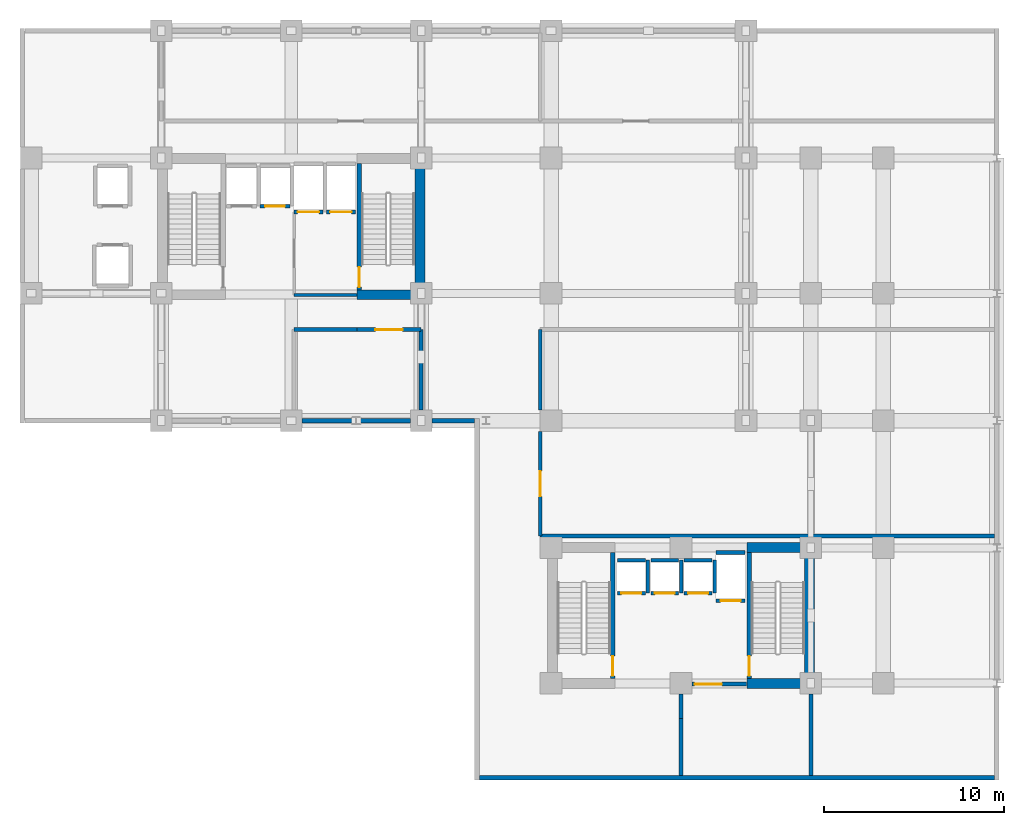
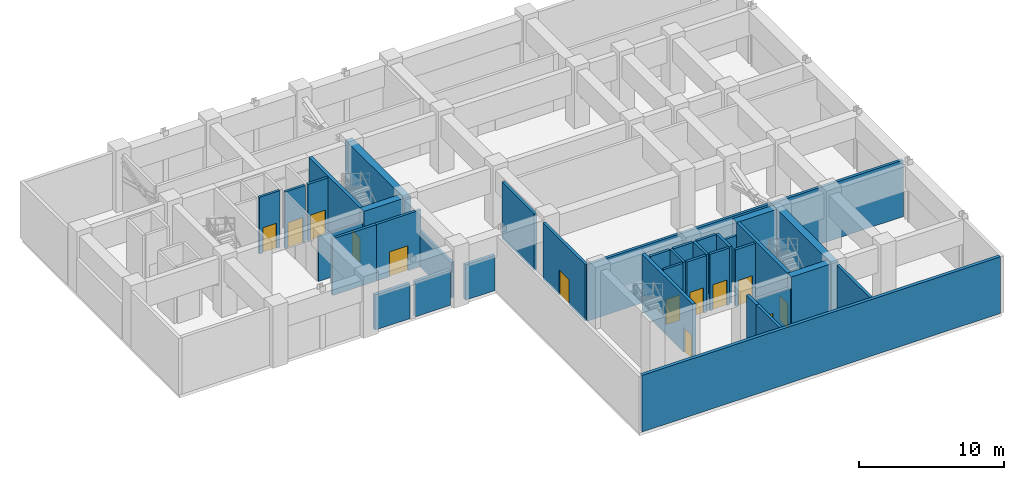
# One storey, part 4 of 8: 37 walls, 13 doors, 13 openings.
"""IFC4 building model written with IfcOpenShell, lengths in metres."""

from ifc_helpers import new_model, si_unit, direction, frame, frame_2d, origin, place, context, subcontext, project, spatial, rectangle, extrude, material, layer, layer_set, type_object, element, fill, save


model = new_model("IFC4")

# Units and contexts
model_context = context("Model", 3, precision=1e-05, world=origin(), true_north=direction((0.0, 1.0)))
body_context = subcontext(model_context, "Body", "Model", "MODEL_VIEW")
ifc_project = project(units=[si_unit("LENGTHUNIT", "METRE"), si_unit("AREAUNIT", "SQUARE_METRE"), si_unit("VOLUMEUNIT", "CUBIC_METRE"), si_unit("PLANEANGLEUNIT", "RADIAN"), si_unit("MASSUNIT", "GRAM", prefix="KILO")], contexts=[model_context])

# Site, building, storey
site_placement = place(None, origin())
site = spatial("IfcSite", under=ifc_project, at=site_placement, CompositionType="ELEMENT")
building_placement = place(site_placement, origin())
building = spatial("IfcBuilding", under=site, at=building_placement, Name="Kaliganga Portal Commons", CompositionType="ELEMENT")
storey_placement = place(building_placement, frame((0.0, 0.0, 130.39990234375)))
storey = spatial("IfcBuildingStorey", under=building, at=storey_placement, Name="L33", CompositionType="ELEMENT", Elevation=130.39990234375)

# Walls
ifc_material_1 = material(Name="Concrete C60/75", Category="concrete")
ifc_layer_1 = layer(ifc_material_1, 0.550048828125)
ifc_layer_set_1 = layer_set([ifc_layer_1], Name="Concrete C60/75")
wall_type_1 = type_object("IfcWallType", Name="WL-CORE-550", PredefinedType="SHEAR", material=ifc_layer_set_1)
wall_1_placement = place(storey_placement, frame((28.72509765625, 28.300048828125, 0.0), z_axis=(0.0, 0.0, 1.0), x_axis=(0.0, 1.0, 0.0)))
element("IfcWall", 1, at=wall_1_placement, inside=storey, type_object=wall_type_1, Name="Core A East Shear Wall L33", PredefinedType="SHEAR", context=body_context, shape_type="SweptSolid", body=[
    extrude(rectangle(XDim=8.099853515625, YDim=0.550048828125, at=frame_2d((4.0498046875, 0.0))), origin(), (0.0, 0.0, 1.0), 4.780029296875),
])
wall_2_placement = place(storey_placement, frame((25.25, 28.574951171875, 0.0), z_axis=(0.0, 0.0, 1.0), x_axis=(1.0, 0.0, 0.0)))
element("IfcWall", 2, at=wall_2_placement, inside=storey, type_object=wall_type_1, Name="Core A S-East Shear Wall L33", PredefinedType="SHEAR", context=body_context, shape_type="SweptSolid", body=[
    extrude(rectangle(XDim=3.199951171875, YDim=0.550048828125, at=frame_2d((1.60009765625, 0.0))), origin(), (0.0, 0.0, 1.0), 4.780029296875),
])
wall_3_placement = place(storey_placement, frame((50.324951171875, 6.75, 0.0), z_axis=(0.0, 0.0, 1.0), x_axis=(0.0, 1.0, 0.0)))
element("IfcWall", 3, at=wall_3_placement, inside=storey, type_object=wall_type_1, Name="Core B East Shear Wall L33", PredefinedType="SHEAR", context=body_context, shape_type="SweptSolid", body=[
    extrude(rectangle(XDim=8.10009765625, YDim=0.550048828125, at=frame_2d((4.050048828125, 0.0))), origin(), (0.0, 0.0, 1.0), 4.780029296875),
])
for number, where, z_axis, x_axis, name in (
    (4, (46.85009765625, 7.02490234375, 0.0), (0.0, 0.0, 1.0), (1.0, 0.0, 0.0), "Core B S-East Shear Wall L33"),
    (5, (46.85009765625, 14.574951171875, 0.0), (0.0, 0.0, 1.0), (1.0, 0.0, 0.0), "Core B N-East Shear Wall L33"),
):
    element("IfcWall", number, at=place(storey_placement, frame(where, z_axis=z_axis, x_axis=x_axis)), inside=storey, type_object=wall_type_1, Name=name, PredefinedType="SHEAR", context=body_context, shape_type="SweptSolid", body=[
        extrude(rectangle(XDim=3.199951171875, YDim=0.550048828125, at=frame_2d((1.60009765625, 0.0))), origin(), (0.0, 0.0, 1.0), 4.780029296875),
    ])
ifc_material_2 = material(Name="Insulated Aluminium-Clad Spandrel Assembly", Category="aluminium")
ifc_layer_2 = layer(ifc_material_2, 0.260009765625)
ifc_layer_set_2 = layer_set([ifc_layer_2], Name="Insulated Aluminium-Clad Spandrel Assembly")
wall_type_2 = type_object("IfcWallType", Name="WL-EXT-SPAND-260", PredefinedType="STANDARD", material=ifc_layer_set_2)
wall_4_placement = place(storey_placement, frame((60.56494140625, 1.800048828125, 0.0), z_axis=(0.0, 0.0, 1.0), x_axis=(-1.0, 0.0, 0.0)))
element("IfcWall", 6, at=wall_4_placement, inside=storey, type_object=wall_type_2, Name="Exterior Envelope Wall L33 P1-E00-S1", PredefinedType="STANDARD", context=body_context, shape_type="SweptSolid", body=[
    extrude(rectangle(XDim=28.530029296875, YDim=0.260009765625, at=frame_2d((14.26513671875, 0.0))), origin(), (0.0, 0.0, 1.0), 4.760009765625),
])
for number, where, z_axis, x_axis, name in (
    (7, (24.994384765625, 21.60009765625, 0.0), (0.0, 0.0, 1.0), (-1.0, 0.0, 0.0), "Exterior Envelope Wall L33 P1-E04-S4"),
    (8, (28.198974609375, 21.60009765625, 0.0), (0.0, 0.0, 1.0), (-1.0, 0.0, 0.0), "Exterior Envelope Wall L33 P1-E04-S5"),
):
    element("IfcWall", number, at=place(storey_placement, frame(where, z_axis=z_axis, x_axis=x_axis)), inside=storey, type_object=wall_type_2, Name=name, PredefinedType="STANDARD", context=body_context, shape_type="SweptSolid", body=[
        extrude(rectangle(XDim=2.79345703125, YDim=0.260009765625, at=frame_2d((1.396728515625, 0.0))), origin(), (0.0, 0.0, 1.0), 2.960205078125),
    ])
wall_5_placement = place(storey_placement, frame((31.764892578125, 21.60009765625, 0.0), z_axis=(0.0, 0.0, 1.0), x_axis=(-1.0, 0.0, 0.0)))
element("IfcWall", 9, at=wall_5_placement, inside=storey, type_object=wall_type_2, Name="Exterior Envelope Wall L33 P1-E04-S6", PredefinedType="STANDARD", context=body_context, shape_type="SweptSolid", body=[
    extrude(rectangle(XDim=2.364013671875, YDim=0.260009765625, at=frame_2d((1.18212890625, 0.0))), origin(), (0.0, 0.0, 1.0), 2.960205078125),
])
ifc_material_3 = material(Name="Fire-Rated Gypsum Board on Steel Stud", Category="steel")
ifc_layer_3 = layer(ifc_material_3, 0.14990234375)
ifc_layer_set_3 = layer_set([ifc_layer_3], Name="Fire-Rated Gypsum Board on Steel Stud")
wall_type_3 = type_object("IfcWallType", Name="WL-PART-CORR-150", PredefinedType="PARTITIONING", material=ifc_layer_set_3)
wall_6_placement = place(storey_placement, frame((21.760009765625, 28.56005859375, 0.0), z_axis=(0.0, 0.0, 1.0), x_axis=(1.0, 0.0, 0.0)))
element("IfcWall", 10, at=wall_6_placement, inside=storey, type_object=wall_type_3, Name="Interior Partition L33-018", PredefinedType="PARTITIONING", context=body_context, shape_type="SweptSolid", body=[
    extrude(rectangle(XDim=3.47998046875, YDim=0.14990234375, at=frame_2d((1.739990234375, 0.0))), origin(), (0.0, 0.0, 1.0), 3.760009765625),
])

# Wall, opening, door
ifc_material_4 = material(Name="Lightweight blockwork masonry", Category="masonry")
ifc_layer_4 = layer(ifc_material_4, 0.215087890625)
ifc_layer_set_4 = layer_set([ifc_layer_4], Name="Lightweight blockwork masonry")
wall_type_4 = type_object("IfcWallType", Name="WL-PART-PLANT-215", PredefinedType="PARTITIONING", material=ifc_layer_set_4)
wall_7_placement = place(storey_placement, frame((43.800048828125, 7.0, 0.0), z_axis=(0.0, 0.0, 1.0), x_axis=(1.0, 0.0, 0.0)))
wall_7 = element("IfcWall", 11, at=wall_7_placement, inside=storey, type_object=wall_type_4, Name="Interior Partition L33-001", PredefinedType="PARTITIONING", context=body_context, shape_type="SweptSolid", body=[
    extrude(rectangle(XDim=3.0400390625, YDim=0.215087890625, at=frame_2d((1.52001953125, 0.0))), origin(), (0.0, 0.0, 1.0), 3.760009765625),
])
opening_1_placement = place(wall_7_placement, frame((0.162109375, 0.0, 0.0)))
opening_1 = element("IfcOpeningElement", 12, at=opening_1_placement, cuts=wall_7, Name="Opening FD-01", PredefinedType="OPENING", context=body_context, shape_type="SweptSolid", body=[
    extrude(rectangle(XDim=1.5, YDim=2.10009765625, at=frame_2d((0.75, 1.050048828125))), frame((0.0, 0.11767578125, 0.0), z_axis=(0.0, -1.0, 0.0), x_axis=(1.0, 0.0, 0.0)), (0.0, 0.0, 1.0), 0.235107421875),
])
ifc_material_5 = material(Name="Fire-Rated Hardwood and Georgian-Wired Vision Panel", Category="wood")
door_type_1 = type_object("IfcDoorType", Name="DR-LOBBY-1500", OperationType="DOUBLE_DOOR_SINGLE_SWING", PredefinedType="DOOR", material=ifc_material_5)
door_1_placement = place(opening_1_placement, origin())
door_1 = element("IfcDoor", 13, at=door_1_placement, inside=storey, type_object=door_type_1, Name="Interior Door L33-REFB", OperationType="DOUBLE_DOOR_SINGLE_SWING", OverallHeight=2.10009765625, OverallWidth=1.5, PredefinedType="DOOR", context=body_context, shape_type="SweptSolid", body=[
    extrude(rectangle(XDim=1.5, YDim=2.10009765625, at=frame_2d((0.75, 1.050048828125))), frame((0.0, 0.02490234375, 0.0), z_axis=(0.0, -1.0, 0.0), x_axis=(1.0, 0.0, 0.0)), (0.0, 0.0, 1.0), 0.050048828125),
])
fill(opening_1, door_1)

wall_8_placement = place(storey_placement, frame((35.39990234375, 15.199951171875, 0.0), z_axis=(0.0, 0.0, 1.0), x_axis=(0.0, 1.0, 0.0)))
wall_8 = element("IfcWall", 14, at=wall_8_placement, inside=storey, type_object=wall_type_4, Name="Interior Partition L33-003", PredefinedType="PARTITIONING", context=body_context, shape_type="SweptSolid", body=[
    extrude(rectangle(XDim=5.800048828125, YDim=0.215087890625, at=frame_2d((2.89990234375, 0.0))), origin(), (0.0, 0.0, 1.0), 4.760009765625),
])
opening_2_placement = place(wall_8_placement, frame((2.199951171875, 0.0, 0.0)))
opening_2 = element("IfcOpeningElement", 15, at=opening_2_placement, cuts=wall_8, Name="Opening PD-01", PredefinedType="OPENING", context=body_context, shape_type="SweptSolid", body=[
    extrude(rectangle(XDim=1.39990234375, YDim=2.14990234375, at=frame_2d((0.699951171875, 1.074951171875))), frame((0.0, 0.11767578125, 0.0), z_axis=(0.0, -1.0, 0.0), x_axis=(1.0, 0.0, 0.0)), (0.0, 0.0, 1.0), 0.235107421875),
])
ifc_material_6 = material(Name="Heavy-Duty Steel Acoustic Louvre Fire Door", Category="steel")
door_type_2 = type_object("IfcDoorType", Name="DR-PLANT-1400", OperationType="DOUBLE_DOOR_SINGLE_SWING", PredefinedType="DOOR", material=ifc_material_6)
door_2_placement = place(opening_2_placement, origin())
door_2 = element("IfcDoor", 16, at=door_2_placement, inside=storey, type_object=door_type_2, Name="Interior Door L33-HEX", OperationType="DOUBLE_DOOR_SINGLE_SWING", OverallHeight=2.14990234375, OverallWidth=1.39990234375, PredefinedType="DOOR", context=body_context, shape_type="SweptSolid", body=[
    extrude(rectangle(XDim=1.39990234375, YDim=2.14990234375, at=frame_2d((0.699951171875, 1.074951171875))), frame((0.0, 0.02490234375, 0.0), z_axis=(0.0, -1.0, 0.0), x_axis=(1.0, 0.0, 0.0)), (0.0, 0.0, 1.0), 0.050048828125),
])
fill(opening_2, door_2)

# Wall
wall_9_placement = place(storey_placement, frame((35.39990234375, 22.199951171875, 0.0), z_axis=(0.0, 0.0, 1.0), x_axis=(0.0, 1.0, 0.0)))
element("IfcWall", 17, at=wall_9_placement, inside=storey, type_object=wall_type_4, Name="Interior Partition L33-004", PredefinedType="PARTITIONING", context=body_context, shape_type="SweptSolid", body=[
    extrude(rectangle(XDim=4.43994140625, YDim=0.215087890625, at=frame_2d((2.219970703125, 0.0))), origin(), (0.0, 0.0, 1.0), 4.760009765625),
])

# Wall, opening, door
wall_10_placement = place(storey_placement, frame((25.239990234375, 26.639892578125, 0.0), z_axis=(0.0, 0.0, 1.0), x_axis=(1.0, 0.0, 0.0)))
wall_10 = element("IfcWall", 18, at=wall_10_placement, inside=storey, type_object=wall_type_4, Name="Interior Partition L33-006", PredefinedType="PARTITIONING", context=body_context, shape_type="SweptSolid", body=[
    extrude(rectangle(XDim=3.56005859375, YDim=0.215087890625, at=frame_2d((1.780029296875, 0.0))), origin(), (0.0, 0.0, 1.0), 4.760009765625),
])
opening_3_placement = place(wall_10_placement, frame((1.030029296875, 0.0, 0.0)))
opening_3 = element("IfcOpeningElement", 19, at=opening_3_placement, cuts=wall_10, Name="Opening FD-01", PredefinedType="OPENING", context=body_context, shape_type="SweptSolid", body=[
    extrude(rectangle(XDim=1.5, YDim=2.10009765625, at=frame_2d((0.75, 1.050048828125))), frame((0.0, 0.11767578125, 0.0), z_axis=(0.0, -1.0, 0.0), x_axis=(1.0, 0.0, 0.0)), (0.0, 0.0, 1.0), 0.235107421875),
])
door_3_placement = place(opening_3_placement, origin())
door_3 = element("IfcDoor", 20, at=door_3_placement, inside=storey, type_object=door_type_1, Name="Interior Door L33-REFA", OperationType="DOUBLE_DOOR_SINGLE_SWING", OverallHeight=2.10009765625, OverallWidth=1.5, PredefinedType="DOOR", context=body_context, shape_type="SweptSolid", body=[
    extrude(rectangle(XDim=1.5, YDim=2.10009765625, at=frame_2d((0.75, 1.050048828125))), frame((0.0, 0.02490234375, 0.0), z_axis=(0.0, -1.0, 0.0), x_axis=(1.0, 0.0, 0.0)), (0.0, 0.0, 1.0), 0.050048828125),
])
fill(opening_3, door_3)

# Walls
wall_11_placement = place(storey_placement, frame((43.199951171875, 5.10009765625, 0.0), z_axis=(0.0, 0.0, 1.0), x_axis=(0.0, 1.0, 0.0)))
element("IfcWall", 21, at=wall_11_placement, inside=storey, type_object=wall_type_4, Name="Interior Partition L33-007", PredefinedType="PARTITIONING", context=body_context, shape_type="SweptSolid", body=[
    extrude(rectangle(XDim=1.349853515625, YDim=0.215087890625, at=frame_2d((0.6748046875, 0.0))), origin(), (0.0, 0.0, 1.0), 4.760009765625),
])
wall_12_placement = place(storey_placement, frame((35.39990234375, 15.199951171875, 0.0), z_axis=(0.0, 0.0, 1.0), x_axis=(1.0, 0.0, 0.0)))
element("IfcWall", 22, at=wall_12_placement, inside=storey, type_object=wall_type_4, Name="Interior Partition L33-008", PredefinedType="PARTITIONING", context=body_context, shape_type="SweptSolid", body=[
    extrude(rectangle(XDim=25.168212890625, YDim=0.215087890625, at=frame_2d((12.583984375, 0.0))), origin(), (0.0, 0.0, 1.0), 4.760009765625),
])
wall_13_placement = place(storey_placement, frame((50.39990234375, 1.931884765625, 0.0), z_axis=(0.0, 0.0, 1.0), x_axis=(0.0, 1.0, 0.0)))
element("IfcWall", 23, at=wall_13_placement, inside=storey, type_object=wall_type_4, Name="Interior Partition L33-011", PredefinedType="PARTITIONING", context=body_context, shape_type="SweptSolid", body=[
    extrude(rectangle(XDim=4.51806640625, YDim=0.215087890625, at=frame_2d((2.259033203125, 0.0))), origin(), (0.0, 0.0, 1.0), 4.760009765625),
])
wall_14_placement = place(storey_placement, frame((28.800048828125, 22.199951171875, 0.0), z_axis=(0.0, 0.0, 1.0), x_axis=(0.0, 1.0, 0.0)))
element("IfcWall", 24, at=wall_14_placement, inside=storey, type_object=wall_type_4, Name="Interior Partition L33-013", PredefinedType="PARTITIONING", context=body_context, shape_type="SweptSolid", body=[
    extrude(rectangle(XDim=4.43994140625, YDim=0.215087890625, at=frame_2d((2.219970703125, 0.0))), origin(), (0.0, 0.0, 1.0), 2.960205078125),
])
wall_15_placement = place(storey_placement, frame((21.760009765625, 26.639892578125, 0.0), z_axis=(0.0, 0.0, 1.0), x_axis=(1.0, 0.0, 0.0)))
element("IfcWall", 25, at=wall_15_placement, inside=storey, type_object=wall_type_4, Name="Interior Partition L33-017", PredefinedType="PARTITIONING", context=body_context, shape_type="SweptSolid", body=[
    extrude(rectangle(XDim=3.47998046875, YDim=0.215087890625, at=frame_2d((1.739990234375, 0.0))), origin(), (0.0, 0.0, 1.0), 4.760009765625),
])
wall_16_placement = place(storey_placement, frame((43.199951171875, 1.931884765625, 0.0), z_axis=(0.0, 0.0, 1.0), x_axis=(0.0, 1.0, 0.0)))
element("IfcWall", 26, at=wall_16_placement, inside=storey, type_object=wall_type_4, Name="Interior Partition L33-019", PredefinedType="PARTITIONING", context=body_context, shape_type="SweptSolid", body=[
    extrude(rectangle(XDim=3.168212890625, YDim=0.215087890625, at=frame_2d((1.583984375, 0.0))), origin(), (0.0, 0.0, 1.0), 4.760009765625),
])

# Wall, opening, door
ifc_material_7 = material(Name="Fire-Rated Shaftwall Masonry Assembly", Category="masonry")
ifc_layer_5 = layer(ifc_material_7, 0.199951171875)
ifc_layer_set_5 = layer_set([ifc_layer_5], Name="Fire-Rated Shaftwall Masonry Assembly")
wall_type_5 = type_object("IfcWallType", Name="WL-SHAFT-200", PredefinedType="PARTITIONING", material=ifc_layer_set_5)
wall_17_placement = place(storey_placement, frame((19.875, 33.485107421875, 0.0), z_axis=(0.0, 0.0, 1.0), x_axis=(1.0, 0.0, 0.0)))
wall_17 = element("IfcWall", 27, at=wall_17_placement, inside=storey, type_object=wall_type_5, Name="Lift PL-A2 Hoistway Shaft Wall L33-S", PredefinedType="PARTITIONING", context=body_context, shape_type="SweptSolid", body=[
    extrude(rectangle(XDim=1.64990234375, YDim=0.199951171875, at=frame_2d((0.824951171875, 0.0))), origin(), (0.0, 0.0, 1.0), 4.760009765625),
])
opening_4_placement = place(wall_17_placement, frame((0.27490234375, 0.0, 0.0)))
opening_4 = element("IfcOpeningElement", 28, at=opening_4_placement, cuts=wall_17, Name="Opening LD-01", PredefinedType="OPENING", context=body_context, shape_type="SweptSolid", body=[
    extrude(rectangle(XDim=1.10009765625, YDim=2.1201171875, at=frame_2d((0.550048828125, 1.06005859375))), frame((0.0, 0.10986328125, 0.0), z_axis=(0.0, -1.0, 0.0), x_axis=(1.0, 0.0, 0.0)), (0.0, 0.0, 1.0), 0.219970703125),
])
ifc_material_8 = material(Name="Brushed Stainless Steel 316 Lift Landing Door", Category="steel")
door_type_3 = type_object("IfcDoorType", Name="DR-LIFT-1100", OperationType="SLIDING_TO_LEFT", PredefinedType="DOOR", material=ifc_material_8)
door_4_placement = place(opening_4_placement, origin())
door_4 = element("IfcDoor", 29, at=door_4_placement, inside=storey, type_object=door_type_3, Name="Lift PL-A2 Sliding Landing Door L33", OperationType="SLIDING_TO_LEFT", OverallHeight=2.1201171875, OverallWidth=1.10009765625, PredefinedType="DOOR", context=body_context, shape_type="SweptSolid", body=[
    extrude(rectangle(XDim=1.10009765625, YDim=2.1201171875, at=frame_2d((0.550048828125, 1.06005859375))), frame((0.0, 0.02490234375, 0.0), z_axis=(0.0, -1.0, 0.0), x_axis=(1.0, 0.0, 0.0)), (0.0, 0.0, 1.0), 0.050048828125),
])
fill(opening_4, door_4)

wall_18_placement = place(storey_placement, frame((21.75, 33.159912109375, 0.0), z_axis=(0.0, 0.0, 1.0), x_axis=(1.0, 0.0, 0.0)))
wall_18 = element("IfcWall", 30, at=wall_18_placement, inside=storey, type_object=wall_type_5, Name="Lift FFL-1 Hoistway Shaft Wall L33-S", PredefinedType="PARTITIONING", context=body_context, shape_type="SweptSolid", body=[
    extrude(rectangle(XDim=1.60009765625, YDim=0.199951171875, at=frame_2d((0.800048828125, 0.0))), origin(), (0.0, 0.0, 1.0), 4.760009765625),
])
opening_5_placement = place(wall_18_placement, frame((0.199951171875, 0.0, 0.0)))
opening_5 = element("IfcOpeningElement", 31, at=opening_5_placement, cuts=wall_18, Name="Opening LD-02", PredefinedType="OPENING", context=body_context, shape_type="SweptSolid", body=[
    extrude(rectangle(XDim=1.199951171875, YDim=2.1201171875, at=frame_2d((0.60009765625, 1.06005859375))), frame((0.0, 0.10986328125, 0.0), z_axis=(0.0, -1.0, 0.0), x_axis=(1.0, 0.0, 0.0)), (0.0, 0.0, 1.0), 0.219970703125),
])
ifc_material_9 = material(Name="Brushed Stainless Steel 316 Stretcher Lift Landing Door", Category="steel")
door_type_4 = type_object("IfcDoorType", Name="DR-LIFT-1200", OperationType="SLIDING_TO_RIGHT", PredefinedType="DOOR", material=ifc_material_9)
door_5_placement = place(opening_5_placement, origin())
door_5 = element("IfcDoor", 32, at=door_5_placement, inside=storey, type_object=door_type_4, Name="Lift FFL-1 Sliding Landing Door L33", OperationType="SLIDING_TO_RIGHT", OverallHeight=2.1201171875, OverallWidth=1.199951171875, PredefinedType="DOOR", context=body_context, shape_type="SweptSolid", body=[
    extrude(rectangle(XDim=1.199951171875, YDim=2.1201171875, at=frame_2d((0.60009765625, 1.06005859375))), frame((0.0, 0.02490234375, 0.0), z_axis=(0.0, -1.0, 0.0), x_axis=(1.0, 0.0, 0.0)), (0.0, 0.0, 1.0), 0.050048828125),
])
fill(opening_5, door_5)

wall_19_placement = place(storey_placement, frame((23.550048828125, 33.159912109375, 0.0), z_axis=(0.0, 0.0, 1.0), x_axis=(1.0, 0.0, 0.0)))
wall_19 = element("IfcWall", 33, at=wall_19_placement, inside=storey, type_object=wall_type_5, Name="Lift FFL-2 Hoistway Shaft Wall L33-S", PredefinedType="PARTITIONING", context=body_context, shape_type="SweptSolid", body=[
    extrude(rectangle(XDim=1.599853515625, YDim=0.199951171875, at=frame_2d((0.7998046875, 0.0))), origin(), (0.0, 0.0, 1.0), 4.760009765625),
])
opening_6_placement = place(wall_19_placement, frame((0.199951171875, 0.0, 0.0)))
opening_6 = element("IfcOpeningElement", 34, at=opening_6_placement, cuts=wall_19, Name="Opening LD-02", PredefinedType="OPENING", context=body_context, shape_type="SweptSolid", body=[
    extrude(rectangle(XDim=1.199951171875, YDim=2.1201171875, at=frame_2d((0.60009765625, 1.06005859375))), frame((0.0, 0.10986328125, 0.0), z_axis=(0.0, -1.0, 0.0), x_axis=(1.0, 0.0, 0.0)), (0.0, 0.0, 1.0), 0.219970703125),
])
door_6_placement = place(opening_6_placement, origin())
door_6 = element("IfcDoor", 35, at=door_6_placement, inside=storey, type_object=door_type_4, Name="Lift FFL-2 Sliding Landing Door L33", OperationType="SLIDING_TO_RIGHT", OverallHeight=2.1201171875, OverallWidth=1.199951171875, PredefinedType="DOOR", context=body_context, shape_type="SweptSolid", body=[
    extrude(rectangle(XDim=1.199951171875, YDim=2.1201171875, at=frame_2d((0.60009765625, 1.06005859375))), frame((0.0, 0.02490234375, 0.0), z_axis=(0.0, -1.0, 0.0), x_axis=(1.0, 0.0, 0.0)), (0.0, 0.0, 1.0), 0.050048828125),
])
fill(opening_6, door_6)

wall_20_placement = place(storey_placement, frame((39.675048828125, 12.034912109375, 0.0), z_axis=(0.0, 0.0, 1.0), x_axis=(1.0, 0.0, 0.0)))
wall_20 = element("IfcWall", 36, at=wall_20_placement, inside=storey, type_object=wall_type_5, Name="Lift PL-B1 Hoistway Shaft Wall L33-S", PredefinedType="PARTITIONING", context=body_context, shape_type="SweptSolid", body=[
    extrude(rectangle(XDim=1.550048828125, YDim=0.199951171875, at=frame_2d((0.77490234375, 0.0))), origin(), (0.0, 0.0, 1.0), 4.760009765625),
])
opening_7_placement = place(wall_20_placement, frame((0.22509765625, 0.0, 0.0)))
opening_7 = element("IfcOpeningElement", 37, at=opening_7_placement, cuts=wall_20, Name="Opening LD-01", PredefinedType="OPENING", context=body_context, shape_type="SweptSolid", body=[
    extrude(rectangle(XDim=1.10009765625, YDim=2.1201171875, at=frame_2d((0.550048828125, 1.06005859375))), frame((0.0, 0.10986328125, 0.0), z_axis=(0.0, -1.0, 0.0), x_axis=(1.0, 0.0, 0.0)), (0.0, 0.0, 1.0), 0.219970703125),
])
door_7_placement = place(opening_7_placement, origin())
door_7 = element("IfcDoor", 38, at=door_7_placement, inside=storey, type_object=door_type_3, Name="Lift PL-B1 Sliding Landing Door L33", OperationType="SLIDING_TO_LEFT", OverallHeight=2.1201171875, OverallWidth=1.10009765625, PredefinedType="DOOR", context=body_context, shape_type="SweptSolid", body=[
    extrude(rectangle(XDim=1.10009765625, YDim=2.1201171875, at=frame_2d((0.550048828125, 1.06005859375))), frame((0.0, 0.02490234375, 0.0), z_axis=(0.0, -1.0, 0.0), x_axis=(1.0, 0.0, 0.0)), (0.0, 0.0, 1.0), 0.050048828125),
])
fill(opening_7, door_7)

# Walls
wall_21_placement = place(storey_placement, frame((39.675048828125, 13.864990234375, 0.0), z_axis=(0.0, 0.0, 1.0), x_axis=(1.0, 0.0, 0.0)))
element("IfcWall", 39, at=wall_21_placement, inside=storey, type_object=wall_type_5, Name="Lift PL-B1 Hoistway Shaft Wall L33-N", PredefinedType="PARTITIONING", context=body_context, shape_type="SweptSolid", body=[
    extrude(rectangle(XDim=1.550048828125, YDim=0.199951171875, at=frame_2d((0.77490234375, 0.0))), origin(), (0.0, 0.0, 1.0), 4.760009765625),
])
wall_22_placement = place(storey_placement, frame((41.364990234375, 12.034912109375, 0.0), z_axis=(0.0, 0.0, 1.0), x_axis=(0.0, 1.0, 0.0)))
element("IfcWall", 40, at=wall_22_placement, inside=storey, type_object=wall_type_5, Name="Lift PL-B1 Hoistway Shaft Wall L33-E", PredefinedType="PARTITIONING", context=body_context, shape_type="SweptSolid", body=[
    extrude(rectangle(XDim=1.830078125, YDim=0.199951171875, at=frame_2d((0.9150390625, 0.0))), origin(), (0.0, 0.0, 1.0), 4.760009765625),
])

# Wall, opening, door
wall_23_placement = place(storey_placement, frame((41.52490234375, 12.034912109375, 0.0), z_axis=(0.0, 0.0, 1.0), x_axis=(1.0, 0.0, 0.0)))
wall_23 = element("IfcWall", 41, at=wall_23_placement, inside=storey, type_object=wall_type_5, Name="Lift PL-B2 Hoistway Shaft Wall L33-S", PredefinedType="PARTITIONING", context=body_context, shape_type="SweptSolid", body=[
    extrude(rectangle(XDim=1.550048828125, YDim=0.199951171875, at=frame_2d((0.77490234375, 0.0))), origin(), (0.0, 0.0, 1.0), 4.760009765625),
])
opening_8_placement = place(wall_23_placement, frame((0.22509765625, 0.0, 0.0)))
opening_8 = element("IfcOpeningElement", 42, at=opening_8_placement, cuts=wall_23, Name="Opening LD-01", PredefinedType="OPENING", context=body_context, shape_type="SweptSolid", body=[
    extrude(rectangle(XDim=1.10009765625, YDim=2.1201171875, at=frame_2d((0.550048828125, 1.06005859375))), frame((0.0, 0.10986328125, 0.0), z_axis=(0.0, -1.0, 0.0), x_axis=(1.0, 0.0, 0.0)), (0.0, 0.0, 1.0), 0.219970703125),
])
door_8_placement = place(opening_8_placement, origin())
door_8 = element("IfcDoor", 43, at=door_8_placement, inside=storey, type_object=door_type_3, Name="Lift PL-B2 Sliding Landing Door L33", OperationType="SLIDING_TO_LEFT", OverallHeight=2.1201171875, OverallWidth=1.10009765625, PredefinedType="DOOR", context=body_context, shape_type="SweptSolid", body=[
    extrude(rectangle(XDim=1.10009765625, YDim=2.1201171875, at=frame_2d((0.550048828125, 1.06005859375))), frame((0.0, 0.02490234375, 0.0), z_axis=(0.0, -1.0, 0.0), x_axis=(1.0, 0.0, 0.0)), (0.0, 0.0, 1.0), 0.050048828125),
])
fill(opening_8, door_8)

# Walls
wall_24_placement = place(storey_placement, frame((41.52490234375, 13.864990234375, 0.0), z_axis=(0.0, 0.0, 1.0), x_axis=(1.0, 0.0, 0.0)))
element("IfcWall", 44, at=wall_24_placement, inside=storey, type_object=wall_type_5, Name="Lift PL-B2 Hoistway Shaft Wall L33-N", PredefinedType="PARTITIONING", context=body_context, shape_type="SweptSolid", body=[
    extrude(rectangle(XDim=1.550048828125, YDim=0.199951171875, at=frame_2d((0.77490234375, 0.0))), origin(), (0.0, 0.0, 1.0), 4.760009765625),
])
wall_25_placement = place(storey_placement, frame((43.215087890625, 12.034912109375, 0.0), z_axis=(0.0, 0.0, 1.0), x_axis=(0.0, 1.0, 0.0)))
element("IfcWall", 45, at=wall_25_placement, inside=storey, type_object=wall_type_5, Name="Lift PL-B2 Hoistway Shaft Wall L33-E", PredefinedType="PARTITIONING", context=body_context, shape_type="SweptSolid", body=[
    extrude(rectangle(XDim=1.830078125, YDim=0.199951171875, at=frame_2d((0.9150390625, 0.0))), origin(), (0.0, 0.0, 1.0), 4.760009765625),
])

# Wall, opening, door
wall_26_placement = place(storey_placement, frame((43.375, 12.034912109375, 0.0), z_axis=(0.0, 0.0, 1.0), x_axis=(1.0, 0.0, 0.0)))
wall_26 = element("IfcWall", 46, at=wall_26_placement, inside=storey, type_object=wall_type_5, Name="Lift SH-2 Hoistway Shaft Wall L33-S", PredefinedType="PARTITIONING", context=body_context, shape_type="SweptSolid", body=[
    extrude(rectangle(XDim=1.550048828125, YDim=0.199951171875, at=frame_2d((0.77490234375, 0.0))), origin(), (0.0, 0.0, 1.0), 4.760009765625),
])
opening_9_placement = place(wall_26_placement, frame((0.22509765625, 0.0, 0.0)))
opening_9 = element("IfcOpeningElement", 47, at=opening_9_placement, cuts=wall_26, Name="Opening LD-01", PredefinedType="OPENING", context=body_context, shape_type="SweptSolid", body=[
    extrude(rectangle(XDim=1.10009765625, YDim=2.1201171875, at=frame_2d((0.550048828125, 1.06005859375))), frame((0.0, 0.10986328125, 0.0), z_axis=(0.0, -1.0, 0.0), x_axis=(1.0, 0.0, 0.0)), (0.0, 0.0, 1.0), 0.219970703125),
])
door_9_placement = place(opening_9_placement, origin())
door_9 = element("IfcDoor", 48, at=door_9_placement, inside=storey, type_object=door_type_3, Name="Lift SH-2 Sliding Landing Door L33", OperationType="SLIDING_TO_LEFT", OverallHeight=2.1201171875, OverallWidth=1.10009765625, PredefinedType="DOOR", context=body_context, shape_type="SweptSolid", body=[
    extrude(rectangle(XDim=1.10009765625, YDim=2.1201171875, at=frame_2d((0.550048828125, 1.06005859375))), frame((0.0, 0.02490234375, 0.0), z_axis=(0.0, -1.0, 0.0), x_axis=(1.0, 0.0, 0.0)), (0.0, 0.0, 1.0), 0.050048828125),
])
fill(opening_9, door_9)

# Walls
wall_27_placement = place(storey_placement, frame((43.375, 13.864990234375, 0.0), z_axis=(0.0, 0.0, 1.0), x_axis=(1.0, 0.0, 0.0)))
element("IfcWall", 49, at=wall_27_placement, inside=storey, type_object=wall_type_5, Name="Lift SH-2 Hoistway Shaft Wall L33-N", PredefinedType="PARTITIONING", context=body_context, shape_type="SweptSolid", body=[
    extrude(rectangle(XDim=1.550048828125, YDim=0.199951171875, at=frame_2d((0.77490234375, 0.0))), origin(), (0.0, 0.0, 1.0), 4.760009765625),
])
wall_28_placement = place(storey_placement, frame((45.06494140625, 12.034912109375, 0.0), z_axis=(0.0, 0.0, 1.0), x_axis=(0.0, 1.0, 0.0)))
element("IfcWall", 50, at=wall_28_placement, inside=storey, type_object=wall_type_5, Name="Lift SH-2 Hoistway Shaft Wall L33-E", PredefinedType="PARTITIONING", context=body_context, shape_type="SweptSolid", body=[
    extrude(rectangle(XDim=1.830078125, YDim=0.199951171875, at=frame_2d((0.9150390625, 0.0))), origin(), (0.0, 0.0, 1.0), 4.760009765625),
])

# Wall, opening, door
wall_29_placement = place(storey_placement, frame((45.14990234375, 11.610107421875, 0.0), z_axis=(0.0, 0.0, 1.0), x_axis=(1.0, 0.0, 0.0)))
wall_29 = element("IfcWall", 51, at=wall_29_placement, inside=storey, type_object=wall_type_5, Name="Lift SL-B1 Hoistway Shaft Wall L33-S", PredefinedType="PARTITIONING", context=body_context, shape_type="SweptSolid", body=[
    extrude(rectangle(XDim=1.60009765625, YDim=0.199951171875, at=frame_2d((0.800048828125, 0.0))), origin(), (0.0, 0.0, 1.0), 4.760009765625),
])
opening_10_placement = place(wall_29_placement, frame((0.25, 0.0, 0.0)))
opening_10 = element("IfcOpeningElement", 52, at=opening_10_placement, cuts=wall_29, Name="Opening LD-01", PredefinedType="OPENING", context=body_context, shape_type="SweptSolid", body=[
    extrude(rectangle(XDim=1.10009765625, YDim=2.1201171875, at=frame_2d((0.550048828125, 1.06005859375))), frame((0.0, 0.10986328125, 0.0), z_axis=(0.0, -1.0, 0.0), x_axis=(1.0, 0.0, 0.0)), (0.0, 0.0, 1.0), 0.219970703125),
])
door_10_placement = place(opening_10_placement, origin())
door_10 = element("IfcDoor", 53, at=door_10_placement, inside=storey, type_object=door_type_3, Name="Lift SL-B1 Sliding Landing Door L33", OperationType="SLIDING_TO_LEFT", OverallHeight=2.1201171875, OverallWidth=1.10009765625, PredefinedType="DOOR", context=body_context, shape_type="SweptSolid", body=[
    extrude(rectangle(XDim=1.10009765625, YDim=2.1201171875, at=frame_2d((0.550048828125, 1.06005859375))), frame((0.0, 0.02490234375, 0.0), z_axis=(0.0, -1.0, 0.0), x_axis=(1.0, 0.0, 0.0)), (0.0, 0.0, 1.0), 0.050048828125),
])
fill(opening_10, door_10)

# Wall
wall_30_placement = place(storey_placement, frame((45.14990234375, 14.2900390625, 0.0), z_axis=(0.0, 0.0, 1.0), x_axis=(1.0, 0.0, 0.0)))
element("IfcWall", 54, at=wall_30_placement, inside=storey, type_object=wall_type_5, Name="Lift SL-B1 Hoistway Shaft Wall L33-N", PredefinedType="PARTITIONING", context=body_context, shape_type="SweptSolid", body=[
    extrude(rectangle(XDim=1.60009765625, YDim=0.199951171875, at=frame_2d((0.800048828125, 0.0))), origin(), (0.0, 0.0, 1.0), 3.760009765625),
])

# Wall, opening, door
ifc_material_10 = material(Name="Concrete C50/60", Category="concrete")
ifc_layer_6 = layer(ifc_material_10, 0.25)
ifc_layer_set_6 = layer_set([ifc_layer_6], Name="Concrete C50/60")
wall_type_6 = type_object("IfcWallType", Name="WL-STAIR-250", PredefinedType="SHEAR", material=ifc_layer_set_6)
wall_31_placement = place(storey_placement, frame((25.375, 28.85009765625, 0.0), z_axis=(0.0, 0.0, 1.0), x_axis=(0.0, 1.0, 0.0)))
wall_31 = element("IfcWall", 55, at=wall_31_placement, inside=storey, type_object=wall_type_6, Name="Stair A2 Enclosure Shear Wall L33", PredefinedType="SHEAR", context=body_context, shape_type="SweptSolid", body=[
    extrude(rectangle(XDim=7.0, YDim=0.25, at=frame_2d((3.5, 0.0))), origin(), (0.0, 0.0, 1.0), 4.780029296875),
])
opening_11_placement = place(wall_31_placement, frame((0.14990234375, 0.0, 0.0)))
opening_11 = element("IfcOpeningElement", 56, at=opening_11_placement, cuts=wall_31, Name="Opening SD-01", PredefinedType="OPENING", context=body_context, shape_type="SweptSolid", body=[
    extrude(rectangle(XDim=1.10009765625, YDim=2.080078125, at=frame_2d((0.550048828125, 1.0400390625))), frame((0.0, 0.135009765625, 0.0), z_axis=(0.0, -1.0, 0.0), x_axis=(1.0, 0.0, 0.0)), (0.0, 0.0, 1.0), 0.27001953125),
])
ifc_material_11 = material(Name="Galvanized Steel Fire Door Leaf and Frame", Category="steel")
door_type_5 = type_object("IfcDoorType", Name="DR-STAIR-1100", OperationType="NOTDEFINED", PredefinedType="DOOR", material=ifc_material_11)
door_11_placement = place(opening_11_placement, origin())
door_11 = element("IfcDoor", 57, at=door_11_placement, inside=storey, type_object=door_type_5, Name="Protected Stair ST-A2 Fire Door L33", OperationType="SINGLE_SWING_RIGHT", OverallHeight=2.080078125, OverallWidth=1.10009765625, PredefinedType="DOOR", context=body_context, shape_type="SweptSolid", body=[
    extrude(rectangle(XDim=1.10009765625, YDim=2.080078125, at=frame_2d((0.550048828125, 1.0400390625))), frame((0.0, 0.02490234375, 0.0), z_axis=(0.0, -1.0, 0.0), x_axis=(1.0, 0.0, 0.0)), (0.0, 0.0, 1.0), 0.050048828125),
])
fill(opening_11, door_11)

wall_32_placement = place(storey_placement, frame((39.425048828125, 7.300048828125, 0.0), z_axis=(0.0, 0.0, 1.0), x_axis=(0.0, 1.0, 0.0)))
wall_32 = element("IfcWall", 58, at=wall_32_placement, inside=storey, type_object=wall_type_6, Name="Stair B1 Enclosure Shear Wall L33", PredefinedType="SHEAR", context=body_context, shape_type="SweptSolid", body=[
    extrude(rectangle(XDim=7.0, YDim=0.25, at=frame_2d((3.5, 0.0))), origin(), (0.0, 0.0, 1.0), 4.780029296875),
])
opening_12_placement = place(wall_32_placement, frame((0.14990234375, 0.0, 0.0)))
opening_12 = element("IfcOpeningElement", 59, at=opening_12_placement, cuts=wall_32, Name="Opening SD-01", PredefinedType="OPENING", context=body_context, shape_type="SweptSolid", body=[
    extrude(rectangle(XDim=1.10009765625, YDim=2.080078125, at=frame_2d((0.550048828125, 1.0400390625))), frame((0.0, 0.135009765625, 0.0), z_axis=(0.0, -1.0, 0.0), x_axis=(1.0, 0.0, 0.0)), (0.0, 0.0, 1.0), 0.27001953125),
])
door_12_placement = place(opening_12_placement, origin())
door_12 = element("IfcDoor", 60, at=door_12_placement, inside=storey, type_object=door_type_5, Name="Protected Stair ST-B1 Fire Door L33", OperationType="SINGLE_SWING_LEFT", OverallHeight=2.080078125, OverallWidth=1.10009765625, PredefinedType="DOOR", context=body_context, shape_type="SweptSolid", body=[
    extrude(rectangle(XDim=1.10009765625, YDim=2.080078125, at=frame_2d((0.550048828125, 1.0400390625))), frame((0.0, 0.02490234375, 0.0), z_axis=(0.0, -1.0, 0.0), x_axis=(1.0, 0.0, 0.0)), (0.0, 0.0, 1.0), 0.050048828125),
])
fill(opening_12, door_12)

wall_33_placement = place(storey_placement, frame((46.97509765625, 7.300048828125, 0.0), z_axis=(0.0, 0.0, 1.0), x_axis=(0.0, 1.0, 0.0)))
wall_33 = element("IfcWall", 61, at=wall_33_placement, inside=storey, type_object=wall_type_6, Name="Stair B2 Enclosure Shear Wall L33", PredefinedType="SHEAR", context=body_context, shape_type="SweptSolid", body=[
    extrude(rectangle(XDim=7.0, YDim=0.25, at=frame_2d((3.5, 0.0))), origin(), (0.0, 0.0, 1.0), 4.780029296875),
])
opening_13_placement = place(wall_33_placement, frame((0.14990234375, 0.0, 0.0)))
opening_13 = element("IfcOpeningElement", 62, at=opening_13_placement, cuts=wall_33, Name="Opening SD-01", PredefinedType="OPENING", context=body_context, shape_type="SweptSolid", body=[
    extrude(rectangle(XDim=1.10009765625, YDim=2.080078125, at=frame_2d((0.550048828125, 1.0400390625))), frame((0.0, 0.135009765625, 0.0), z_axis=(0.0, -1.0, 0.0), x_axis=(1.0, 0.0, 0.0)), (0.0, 0.0, 1.0), 0.27001953125),
])
door_13_placement = place(opening_13_placement, origin())
door_13 = element("IfcDoor", 63, at=door_13_placement, inside=storey, type_object=door_type_5, Name="Protected Stair ST-B2 Fire Door L33", OperationType="SINGLE_SWING_RIGHT", OverallHeight=2.080078125, OverallWidth=1.10009765625, PredefinedType="DOOR", context=body_context, shape_type="SweptSolid", body=[
    extrude(rectangle(XDim=1.10009765625, YDim=2.080078125, at=frame_2d((0.550048828125, 1.0400390625))), frame((0.0, 0.02490234375, 0.0), z_axis=(0.0, -1.0, 0.0), x_axis=(1.0, 0.0, 0.0)), (0.0, 0.0, 1.0), 0.050048828125),
])
fill(opening_13, door_13)

save(model, "model.ifc")
